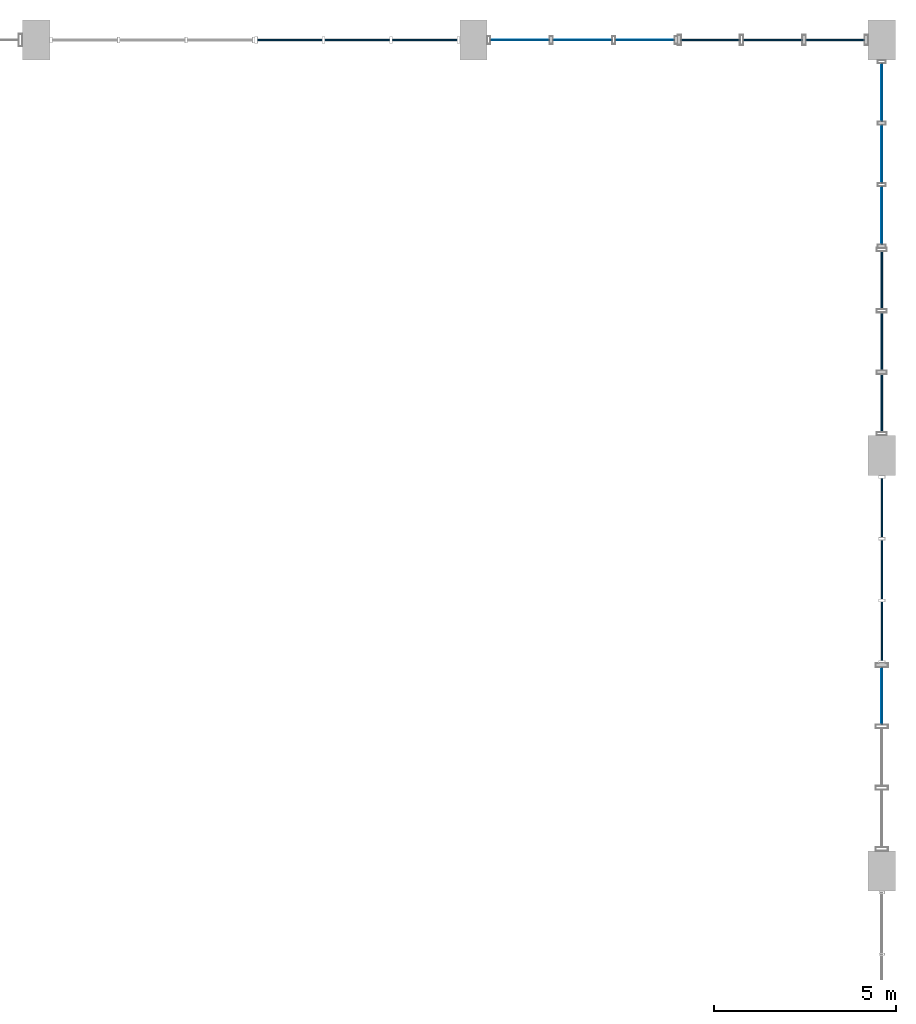
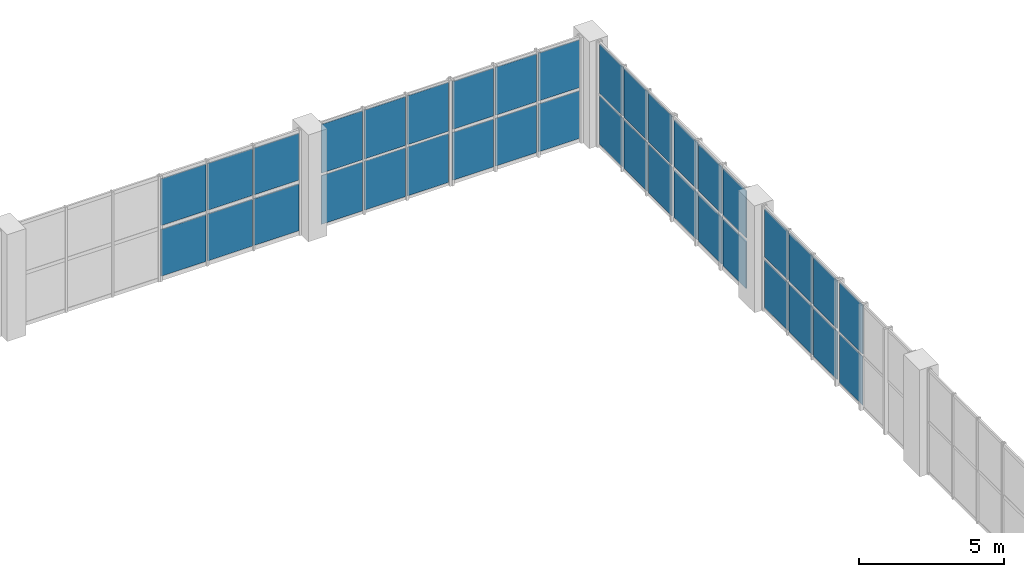
# One storey, part 61 of 80: 38 plates, 7 elements without a shape of their own.
"""IFC4 building model written with IfcOpenShell, lengths in metres."""

from ifc_helpers import new_model, si_unit, direction, frame, origin, origin_2d, place, context, subcontext, project, spatial, rectangle, extrude, material, layer, layer_set, type_object, element, aggregate, save


model = new_model("IFC4")

# Units and contexts
model_context = context("Model", 3, precision=1e-05, world=origin(), true_north=direction((0.0, 1.0)))
body_context = subcontext(model_context, "Body", "Model", "MODEL_VIEW")
ifc_project = project(units=[si_unit("LENGTHUNIT", "METRE"), si_unit("AREAUNIT", "SQUARE_METRE"), si_unit("VOLUMEUNIT", "CUBIC_METRE"), si_unit("PLANEANGLEUNIT", "RADIAN"), si_unit("MASSUNIT", "GRAM", prefix="KILO"), si_unit("POWERUNIT", "WATT"), si_unit("THERMODYNAMICTEMPERATUREUNIT", "KELVIN")], contexts=[model_context])

# Site, building, storey
site_placement = place(None, origin())
site = spatial("IfcSite", under=ifc_project, at=site_placement, CompositionType="ELEMENT")
building_placement = place(site_placement, origin())
building = spatial("IfcBuilding", under=site, at=building_placement, Name="Kelmbourne Parkland Aquatics Centre", CompositionType="ELEMENT")
storey_placement = place(building_placement, frame((0.0, 0.0, 10.199951171875)))
storey = spatial("IfcBuildingStorey", under=building, at=storey_placement, Name="L02", CompositionType="ELEMENT", Elevation=10.199951171875)

# Curtain wall, plate
ifc_material_1 = material(Name="Thermally broken anodised aluminium framing", Category="aluminium")
ifc_layer_1 = layer(ifc_material_1, 0.179931640625)
ifc_layer_set_1 = layer_set([ifc_layer_1], Name="Thermally broken anodised aluminium framing")
curtain_wall_type_1 = type_object("IfcCurtainWallType", Name="CW-12", PredefinedType="NOTDEFINED", material=ifc_layer_set_1)
curtain_wall_1_placement = place(storey_placement, origin())
curtain_wall_1 = element("IfcCurtainWall", 1, at=curtain_wall_1_placement, inside=storey, type_object=curtain_wall_type_1, Name="Wave-hall clerestory curtain wall CW-L02-084", PredefinedType="NOTDEFINED")
ifc_material_2 = material(Name="Double-glazed low-e laminated safety glass", Category="glass")
ifc_layer_2 = layer(ifc_material_2, 0.0419921875)
ifc_layer_set_2 = layer_set([ifc_layer_2], Name="Double-glazed low-e laminated safety glass")
plate_type_1 = type_object("IfcPlateType", Name="PL-CLR-1", PredefinedType="USERDEFINED", material=ifc_layer_set_2)
plate_1_placement = place(storey_placement, frame((175.199951171875, 96.806884765625, 2.279296875), z_axis=(0.0, 0.0, 1.0), x_axis=(0.0, 1.0, 0.0)))
plate_1 = element("IfcPlate", 2, at=plate_1_placement, type_object=plate_type_1, Name="CW-L02-084 clerestory glazing 1-2", ObjectType="CLERESTORY GLAZING", PredefinedType="USERDEFINED", context=body_context, shape_type="SweptSolid", body=[
    extrude(rectangle(XDim=1.587890625, YDim=0.0419921875, at=origin_2d()), origin(), (0.0, 0.0, 1.0), 2.053955078125),
])

# Curtain wall, plates
ifc_layer_3 = layer(ifc_material_1, 0.179931640625)
ifc_layer_set_3 = layer_set([ifc_layer_3], Name="Thermally broken anodised aluminium framing")
curtain_wall_type_2 = type_object("IfcCurtainWallType", Name="CW-19", PredefinedType="NOTDEFINED", material=ifc_layer_set_3)
curtain_wall_2_placement = place(storey_placement, origin())
curtain_wall_2 = element("IfcCurtainWall", 3, at=curtain_wall_2_placement, inside=storey, type_object=curtain_wall_type_2, Name="Wave-hall clerestory curtain wall CW-L02-091", PredefinedType="NOTDEFINED")
plate_2_placement = place(storey_placement, frame((175.199951171875, 98.5830078125, 2.2939453125), z_axis=(0.0, 0.0, 1.0), x_axis=(0.0, 1.0, 0.0)))
plate_2 = element("IfcPlate", 4, at=plate_2_placement, type_object=plate_type_1, Name="CW-L02-091 clerestory glazing 1-0", ObjectType="CLERESTORY GLAZING", PredefinedType="USERDEFINED", context=body_context, shape_type="SweptSolid", body=[
    extrude(rectangle(XDim=1.6279296875, YDim=0.0419921875, at=origin_2d()), origin(), (0.0, 0.0, 1.0), 2.009033203125),
])
plate_3_placement = place(storey_placement, frame((175.199951171875, 100.27392578125, 2.2939453125), z_axis=(0.0, 0.0, 1.0), x_axis=(0.0, 1.0, 0.0)))
plate_3 = element("IfcPlate", 5, at=plate_3_placement, type_object=plate_type_1, Name="CW-L02-091 clerestory glazing 1-1", ObjectType="CLERESTORY GLAZING", PredefinedType="USERDEFINED", context=body_context, shape_type="SweptSolid", body=[
    extrude(rectangle(XDim=1.6279296875, YDim=0.0419921875, at=origin_2d()), origin(), (0.0, 0.0, 1.0), 2.009033203125),
])
plate_4_placement = place(storey_placement, frame((175.199951171875, 101.965087890625, 2.2939453125), z_axis=(0.0, 0.0, 1.0), x_axis=(0.0, 1.0, 0.0)))
plate_4 = element("IfcPlate", 6, at=plate_4_placement, type_object=plate_type_1, Name="CW-L02-091 clerestory glazing 1-2", ObjectType="CLERESTORY GLAZING", PredefinedType="USERDEFINED", context=body_context, shape_type="SweptSolid", body=[
    extrude(rectangle(XDim=1.6279296875, YDim=0.0419921875, at=origin_2d()), origin(), (0.0, 0.0, 1.0), 2.009033203125),
])

ifc_layer_4 = layer(ifc_material_1, 0.179931640625)
ifc_layer_set_4 = layer_set([ifc_layer_4], Name="Thermally broken anodised aluminium framing")
curtain_wall_type_3 = type_object("IfcCurtainWallType", Name="CW-02", PredefinedType="NOTDEFINED", material=ifc_layer_set_4)
curtain_wall_3_placement = place(storey_placement, origin())
curtain_wall_3 = element("IfcCurtainWall", 7, at=curtain_wall_3_placement, inside=storey, type_object=curtain_wall_type_3, Name="Wave-hall clerestory curtain wall CW-L02-098", PredefinedType="NOTDEFINED")
plate_5_placement = place(storey_placement, frame((175.199951171875, 104.841796875, 2.30908203125), z_axis=(0.0, 0.0, 1.0), x_axis=(0.0, 1.0, 0.0)))
plate_5 = element("IfcPlate", 8, at=plate_5_placement, type_object=plate_type_1, Name="CW-L02-098 clerestory glazing 1-0", ObjectType="CLERESTORY GLAZING", PredefinedType="USERDEFINED", context=body_context, shape_type="SweptSolid", body=[
    extrude(rectangle(XDim=1.601318359375, YDim=0.0419921875, at=origin_2d()), origin(), (0.0, 0.0, 1.0), 1.964111328125),
])
plate_6_placement = place(storey_placement, frame((175.199951171875, 106.52587890625, 2.30908203125), z_axis=(0.0, 0.0, 1.0), x_axis=(0.0, 1.0, 0.0)))
plate_6 = element("IfcPlate", 9, at=plate_6_placement, type_object=plate_type_1, Name="CW-L02-098 clerestory glazing 1-1", ObjectType="CLERESTORY GLAZING", PredefinedType="USERDEFINED", context=body_context, shape_type="SweptSolid", body=[
    extrude(rectangle(XDim=1.601318359375, YDim=0.0419921875, at=origin_2d()), origin(), (0.0, 0.0, 1.0), 1.964111328125),
])
plate_7_placement = place(storey_placement, frame((175.199951171875, 108.21044921875, 2.30908203125), z_axis=(0.0, 0.0, 1.0), x_axis=(0.0, 1.0, 0.0)))
plate_7 = element("IfcPlate", 10, at=plate_7_placement, type_object=plate_type_1, Name="CW-L02-098 clerestory glazing 1-2", ObjectType="CLERESTORY GLAZING", PredefinedType="USERDEFINED", context=body_context, shape_type="SweptSolid", body=[
    extrude(rectangle(XDim=1.601318359375, YDim=0.0419921875, at=origin_2d()), origin(), (0.0, 0.0, 1.0), 1.964111328125),
])

ifc_layer_5 = layer(ifc_material_1, 0.179931640625)
ifc_layer_set_5 = layer_set([ifc_layer_5], Name="Thermally broken anodised aluminium framing")
curtain_wall_type_4 = type_object("IfcCurtainWallType", Name="CW-06", PredefinedType="NOTDEFINED", material=ifc_layer_set_5)
curtain_wall_4_placement = place(storey_placement, origin())
curtain_wall_4 = element("IfcCurtainWall", 11, at=curtain_wall_4_placement, inside=storey, type_object=curtain_wall_type_4, Name="Wave-hall clerestory curtain wall CW-L02-102", PredefinedType="NOTDEFINED")
plate_8_placement = place(storey_placement, frame((175.199951171875, 109.986328125, 2.279296875), z_axis=(0.0, 0.0, 1.0), x_axis=(0.0, 1.0, 0.0)))
plate_8 = element("IfcPlate", 12, at=plate_8_placement, type_object=plate_type_1, Name="CW-L02-102 clerestory glazing 1-0", ObjectType="CLERESTORY GLAZING", PredefinedType="USERDEFINED", context=body_context, shape_type="SweptSolid", body=[
    extrude(rectangle(XDim=1.61474609375, YDim=0.0419921875, at=origin_2d()), origin(), (0.0, 0.0, 1.0), 2.053955078125),
])
plate_9_placement = place(storey_placement, frame((175.199951171875, 111.674072265625, 2.279296875), z_axis=(0.0, 0.0, 1.0), x_axis=(0.0, 1.0, 0.0)))
plate_9 = element("IfcPlate", 13, at=plate_9_placement, type_object=plate_type_1, Name="CW-L02-102 clerestory glazing 1-1", ObjectType="CLERESTORY GLAZING", PredefinedType="USERDEFINED", context=body_context, shape_type="SweptSolid", body=[
    extrude(rectangle(XDim=1.614501953125, YDim=0.0419921875, at=origin_2d()), origin(), (0.0, 0.0, 1.0), 2.053955078125),
])
plate_10_placement = place(storey_placement, frame((175.199951171875, 113.361572265625, 2.279296875), z_axis=(0.0, 0.0, 1.0), x_axis=(0.0, 1.0, 0.0)))
plate_10 = element("IfcPlate", 14, at=plate_10_placement, type_object=plate_type_1, Name="CW-L02-102 clerestory glazing 1-2", ObjectType="CLERESTORY GLAZING", PredefinedType="USERDEFINED", context=body_context, shape_type="SweptSolid", body=[
    extrude(rectangle(XDim=1.61474609375, YDim=0.0419921875, at=origin_2d()), origin(), (0.0, 0.0, 1.0), 2.053955078125),
])

curtain_wall_5_placement = place(storey_placement, origin())
curtain_wall_5 = element("IfcCurtainWall", 15, at=curtain_wall_5_placement, inside=storey, type_object=curtain_wall_type_3, Name="Wave-hall clerestory curtain wall CW-L02-146", PredefinedType="NOTDEFINED")
plate_11_placement = place(storey_placement, frame((158.962158203125, 114.800048828125, 2.30908203125), z_axis=(0.0, 0.0, 1.0), x_axis=(1.0, 0.0, 0.0)))
plate_11 = element("IfcPlate", 16, at=plate_11_placement, type_object=plate_type_1, Name="CW-L02-146 clerestory glazing 1-0", ObjectType="CLERESTORY GLAZING", PredefinedType="USERDEFINED", context=body_context, shape_type="SweptSolid", body=[
    extrude(rectangle(XDim=1.786376953125, YDim=0.0419921875, at=origin_2d()), origin(), (0.0, 0.0, 1.0), 1.964111328125),
])
plate_12_placement = place(storey_placement, frame((160.8115234375, 114.800048828125, 2.30908203125), z_axis=(0.0, 0.0, 1.0), x_axis=(1.0, 0.0, 0.0)))
plate_12 = element("IfcPlate", 17, at=plate_12_placement, type_object=plate_type_1, Name="CW-L02-146 clerestory glazing 1-1", ObjectType="CLERESTORY GLAZING", PredefinedType="USERDEFINED", context=body_context, shape_type="SweptSolid", body=[
    extrude(rectangle(XDim=1.786376953125, YDim=0.0419921875, at=origin_2d()), origin(), (0.0, 0.0, 1.0), 1.964111328125),
])
plate_13_placement = place(storey_placement, frame((162.660888671875, 114.800048828125, 2.30908203125), z_axis=(0.0, 0.0, 1.0), x_axis=(1.0, 0.0, 0.0)))
plate_13 = element("IfcPlate", 18, at=plate_13_placement, type_object=plate_type_1, Name="CW-L02-146 clerestory glazing 1-2", ObjectType="CLERESTORY GLAZING", PredefinedType="USERDEFINED", context=body_context, shape_type="SweptSolid", body=[
    extrude(rectangle(XDim=1.786376953125, YDim=0.0419921875, at=origin_2d()), origin(), (0.0, 0.0, 1.0), 1.964111328125),
])

ifc_layer_6 = layer(ifc_material_1, 0.179931640625)
ifc_layer_set_6 = layer_set([ifc_layer_6], Name="Thermally broken anodised aluminium framing")
curtain_wall_type_5 = type_object("IfcCurtainWallType", Name="CW-03", PredefinedType="NOTDEFINED", material=ifc_layer_set_6)
curtain_wall_6_placement = place(storey_placement, origin())
curtain_wall_6 = element("IfcCurtainWall", 19, at=curtain_wall_6_placement, inside=storey, type_object=curtain_wall_type_5, Name="Wave-hall clerestory curtain wall CW-L02-147", PredefinedType="NOTDEFINED")
plate_14_placement = place(storey_placement, frame((165.27587890625, 114.800048828125, 2.279296875), z_axis=(0.0, 0.0, 1.0), x_axis=(1.0, 0.0, 0.0)))
plate_14 = element("IfcPlate", 20, at=plate_14_placement, type_object=plate_type_1, Name="CW-L02-147 clerestory glazing 1-0", ObjectType="CLERESTORY GLAZING", PredefinedType="USERDEFINED", context=body_context, shape_type="SweptSolid", body=[
    extrude(rectangle(XDim=1.6396484375, YDim=0.0419921875, at=origin_2d()), origin(), (0.0, 0.0, 1.0), 2.053955078125),
])
plate_15_placement = place(storey_placement, frame((166.988525390625, 114.800048828125, 2.279296875), z_axis=(0.0, 0.0, 1.0), x_axis=(1.0, 0.0, 0.0)))
plate_15 = element("IfcPlate", 21, at=plate_15_placement, type_object=plate_type_1, Name="CW-L02-147 clerestory glazing 1-1", ObjectType="CLERESTORY GLAZING", PredefinedType="USERDEFINED", context=body_context, shape_type="SweptSolid", body=[
    extrude(rectangle(XDim=1.6396484375, YDim=0.0419921875, at=origin_2d()), origin(), (0.0, 0.0, 1.0), 2.053955078125),
])
plate_16_placement = place(storey_placement, frame((168.701171875, 114.800048828125, 2.279296875), z_axis=(0.0, 0.0, 1.0), x_axis=(1.0, 0.0, 0.0)))
plate_16 = element("IfcPlate", 22, at=plate_16_placement, type_object=plate_type_1, Name="CW-L02-147 clerestory glazing 1-2", ObjectType="CLERESTORY GLAZING", PredefinedType="USERDEFINED", context=body_context, shape_type="SweptSolid", body=[
    extrude(rectangle(XDim=1.6396484375, YDim=0.0419921875, at=origin_2d()), origin(), (0.0, 0.0, 1.0), 2.053955078125),
])

ifc_layer_7 = layer(ifc_material_1, 0.179931640625)
ifc_layer_set_7 = layer_set([ifc_layer_7], Name="Thermally broken anodised aluminium framing")
curtain_wall_type_6 = type_object("IfcCurtainWallType", Name="CW-04", PredefinedType="NOTDEFINED", material=ifc_layer_set_7)
curtain_wall_7_placement = place(storey_placement, origin())
curtain_wall_7 = element("IfcCurtainWall", 23, at=curtain_wall_7_placement, inside=storey, type_object=curtain_wall_type_6, Name="Wave-hall clerestory curtain wall CW-L02-148", PredefinedType="NOTDEFINED")
plate_17_placement = place(storey_placement, frame((170.502197265625, 114.800048828125, 2.2939453125), z_axis=(0.0, 0.0, 1.0), x_axis=(1.0, 0.0, 0.0)))
plate_17 = element("IfcPlate", 24, at=plate_17_placement, type_object=plate_type_1, Name="CW-L02-148 clerestory glazing 1-0", ObjectType="CLERESTORY GLAZING", PredefinedType="USERDEFINED", context=body_context, shape_type="SweptSolid", body=[
    extrude(rectangle(XDim=1.626220703125, YDim=0.0419921875, at=origin_2d()), origin(), (0.0, 0.0, 1.0), 2.009033203125),
])
plate_18_placement = place(storey_placement, frame((172.21142578125, 114.800048828125, 2.2939453125), z_axis=(0.0, 0.0, 1.0), x_axis=(1.0, 0.0, 0.0)))
plate_18 = element("IfcPlate", 25, at=plate_18_placement, type_object=plate_type_1, Name="CW-L02-148 clerestory glazing 1-1", ObjectType="CLERESTORY GLAZING", PredefinedType="USERDEFINED", context=body_context, shape_type="SweptSolid", body=[
    extrude(rectangle(XDim=1.62646484375, YDim=0.0419921875, at=origin_2d()), origin(), (0.0, 0.0, 1.0), 2.009033203125),
])
plate_19_placement = place(storey_placement, frame((173.9208984375, 114.800048828125, 2.2939453125), z_axis=(0.0, 0.0, 1.0), x_axis=(1.0, 0.0, 0.0)))
plate_19 = element("IfcPlate", 26, at=plate_19_placement, type_object=plate_type_1, Name="CW-L02-148 clerestory glazing 1-2", ObjectType="CLERESTORY GLAZING", PredefinedType="USERDEFINED", context=body_context, shape_type="SweptSolid", body=[
    extrude(rectangle(XDim=1.626220703125, YDim=0.0419921875, at=origin_2d()), origin(), (0.0, 0.0, 1.0), 2.009033203125),
])

# Plate
ifc_layer_8 = layer(ifc_material_2, 0.02392578125)
ifc_layer_set_8 = layer_set([ifc_layer_8], Name="Double-glazed low-e laminated safety glass")
plate_type_2 = type_object("IfcPlateType", Name="PL-CWP-1", PredefinedType="CURTAIN_PANEL", material=ifc_layer_set_8)
plate_20_placement = place(storey_placement, frame((175.199951171875, 96.806884765625, 0.1171875), z_axis=(0.0, 0.0, 1.0), x_axis=(0.0, 1.0, 0.0)))
plate_20 = element("IfcPlate", 27, at=plate_20_placement, type_object=plate_type_2, Name="CW-L02-084 vision glazing 0-2", PredefinedType="CURTAIN_PANEL", context=body_context, shape_type="SweptSolid", body=[
    extrude(rectangle(XDim=1.587890625, YDim=0.02392578125, at=origin_2d()), origin(), (0.0, 0.0, 1.0), 2.053955078125),
])

aggregate(curtain_wall_1, [plate_20, plate_1])

plate_21_placement = place(storey_placement, frame((175.199951171875, 109.986328125, 0.1171875), z_axis=(0.0, 0.0, 1.0), x_axis=(0.0, 1.0, 0.0)))
plate_21 = element("IfcPlate", 28, at=plate_21_placement, type_object=plate_type_2, Name="CW-L02-102 vision glazing 0-0", PredefinedType="CURTAIN_PANEL", context=body_context, shape_type="SweptSolid", body=[
    extrude(rectangle(XDim=1.61474609375, YDim=0.02392578125, at=origin_2d()), origin(), (0.0, 0.0, 1.0), 2.053955078125),
])

plate_22_placement = place(storey_placement, frame((175.199951171875, 111.674072265625, 0.1171875), z_axis=(0.0, 0.0, 1.0), x_axis=(0.0, 1.0, 0.0)))
plate_22 = element("IfcPlate", 29, at=plate_22_placement, type_object=plate_type_2, Name="CW-L02-102 vision glazing 0-1", PredefinedType="CURTAIN_PANEL", context=body_context, shape_type="SweptSolid", body=[
    extrude(rectangle(XDim=1.614501953125, YDim=0.02392578125, at=origin_2d()), origin(), (0.0, 0.0, 1.0), 2.053955078125),
])

plate_23_placement = place(storey_placement, frame((175.199951171875, 113.361572265625, 0.1171875), z_axis=(0.0, 0.0, 1.0), x_axis=(0.0, 1.0, 0.0)))
plate_23 = element("IfcPlate", 30, at=plate_23_placement, type_object=plate_type_2, Name="CW-L02-102 vision glazing 0-2", PredefinedType="CURTAIN_PANEL", context=body_context, shape_type="SweptSolid", body=[
    extrude(rectangle(XDim=1.61474609375, YDim=0.02392578125, at=origin_2d()), origin(), (0.0, 0.0, 1.0), 2.053955078125),
])

aggregate(curtain_wall_4, [plate_21, plate_22, plate_23, plate_8, plate_9, plate_10])

plate_24_placement = place(storey_placement, frame((165.27587890625, 114.800048828125, 0.1171875), z_axis=(0.0, 0.0, 1.0), x_axis=(1.0, 0.0, 0.0)))
plate_24 = element("IfcPlate", 31, at=plate_24_placement, type_object=plate_type_2, Name="CW-L02-147 vision glazing 0-0", PredefinedType="CURTAIN_PANEL", context=body_context, shape_type="SweptSolid", body=[
    extrude(rectangle(XDim=1.6396484375, YDim=0.02392578125, at=origin_2d()), origin(), (0.0, 0.0, 1.0), 2.053955078125),
])

plate_25_placement = place(storey_placement, frame((166.988525390625, 114.800048828125, 0.1171875), z_axis=(0.0, 0.0, 1.0), x_axis=(1.0, 0.0, 0.0)))
plate_25 = element("IfcPlate", 32, at=plate_25_placement, type_object=plate_type_2, Name="CW-L02-147 vision glazing 0-1", PredefinedType="CURTAIN_PANEL", context=body_context, shape_type="SweptSolid", body=[
    extrude(rectangle(XDim=1.6396484375, YDim=0.02392578125, at=origin_2d()), origin(), (0.0, 0.0, 1.0), 2.053955078125),
])

plate_26_placement = place(storey_placement, frame((168.701171875, 114.800048828125, 0.1171875), z_axis=(0.0, 0.0, 1.0), x_axis=(1.0, 0.0, 0.0)))
plate_26 = element("IfcPlate", 33, at=plate_26_placement, type_object=plate_type_2, Name="CW-L02-147 vision glazing 0-2", PredefinedType="CURTAIN_PANEL", context=body_context, shape_type="SweptSolid", body=[
    extrude(rectangle(XDim=1.6396484375, YDim=0.02392578125, at=origin_2d()), origin(), (0.0, 0.0, 1.0), 2.053955078125),
])

aggregate(curtain_wall_6, [plate_24, plate_25, plate_26, plate_14, plate_15, plate_16])

ifc_layer_9 = layer(ifc_material_2, 0.035888671875)
ifc_layer_set_9 = layer_set([ifc_layer_9], Name="Double-glazed low-e laminated safety glass")
plate_type_3 = type_object("IfcPlateType", Name="PL-CWP-2", PredefinedType="CURTAIN_PANEL", material=ifc_layer_set_9)
plate_27_placement = place(storey_placement, frame((175.199951171875, 98.5830078125, 0.14697265625), z_axis=(0.0, 0.0, 1.0), x_axis=(0.0, 1.0, 0.0)))
plate_27 = element("IfcPlate", 34, at=plate_27_placement, type_object=plate_type_3, Name="CW-L02-091 vision glazing 0-0", PredefinedType="CURTAIN_PANEL", context=body_context, shape_type="SweptSolid", body=[
    extrude(rectangle(XDim=1.6279296875, YDim=0.035888671875, at=origin_2d()), origin(), (0.0, 0.0, 1.0), 2.009033203125),
])

plate_28_placement = place(storey_placement, frame((175.199951171875, 100.27392578125, 0.14697265625), z_axis=(0.0, 0.0, 1.0), x_axis=(0.0, 1.0, 0.0)))
plate_28 = element("IfcPlate", 35, at=plate_28_placement, type_object=plate_type_3, Name="CW-L02-091 vision glazing 0-1", PredefinedType="CURTAIN_PANEL", context=body_context, shape_type="SweptSolid", body=[
    extrude(rectangle(XDim=1.6279296875, YDim=0.035888671875, at=origin_2d()), origin(), (0.0, 0.0, 1.0), 2.009033203125),
])

plate_29_placement = place(storey_placement, frame((175.199951171875, 101.965087890625, 0.14697265625), z_axis=(0.0, 0.0, 1.0), x_axis=(0.0, 1.0, 0.0)))
plate_29 = element("IfcPlate", 36, at=plate_29_placement, type_object=plate_type_3, Name="CW-L02-091 vision glazing 0-2", PredefinedType="CURTAIN_PANEL", context=body_context, shape_type="SweptSolid", body=[
    extrude(rectangle(XDim=1.6279296875, YDim=0.035888671875, at=origin_2d()), origin(), (0.0, 0.0, 1.0), 2.009033203125),
])

aggregate(curtain_wall_2, [plate_27, plate_28, plate_29, plate_2, plate_3, plate_4])

plate_30_placement = place(storey_placement, frame((170.502197265625, 114.800048828125, 0.14697265625), z_axis=(0.0, 0.0, 1.0), x_axis=(1.0, 0.0, 0.0)))
plate_30 = element("IfcPlate", 37, at=plate_30_placement, type_object=plate_type_3, Name="CW-L02-148 vision glazing 0-0", PredefinedType="CURTAIN_PANEL", context=body_context, shape_type="SweptSolid", body=[
    extrude(rectangle(XDim=1.626220703125, YDim=0.035888671875, at=origin_2d()), origin(), (0.0, 0.0, 1.0), 2.009033203125),
])

plate_31_placement = place(storey_placement, frame((172.21142578125, 114.800048828125, 0.14697265625), z_axis=(0.0, 0.0, 1.0), x_axis=(1.0, 0.0, 0.0)))
plate_31 = element("IfcPlate", 38, at=plate_31_placement, type_object=plate_type_3, Name="CW-L02-148 vision glazing 0-1", PredefinedType="CURTAIN_PANEL", context=body_context, shape_type="SweptSolid", body=[
    extrude(rectangle(XDim=1.62646484375, YDim=0.035888671875, at=origin_2d()), origin(), (0.0, 0.0, 1.0), 2.009033203125),
])

plate_32_placement = place(storey_placement, frame((173.9208984375, 114.800048828125, 0.14697265625), z_axis=(0.0, 0.0, 1.0), x_axis=(1.0, 0.0, 0.0)))
plate_32 = element("IfcPlate", 39, at=plate_32_placement, type_object=plate_type_3, Name="CW-L02-148 vision glazing 0-2", PredefinedType="CURTAIN_PANEL", context=body_context, shape_type="SweptSolid", body=[
    extrude(rectangle(XDim=1.626220703125, YDim=0.035888671875, at=origin_2d()), origin(), (0.0, 0.0, 1.0), 2.009033203125),
])

aggregate(curtain_wall_7, [plate_30, plate_31, plate_32, plate_17, plate_18, plate_19])

ifc_layer_10 = layer(ifc_material_2, 0.048095703125)
ifc_layer_set_10 = layer_set([ifc_layer_10], Name="Double-glazed low-e laminated safety glass")
plate_type_4 = type_object("IfcPlateType", Name="PL-CWP-3", PredefinedType="CURTAIN_PANEL", material=ifc_layer_set_10)
plate_33_placement = place(storey_placement, frame((175.199951171875, 104.841796875, 0.1767578125), z_axis=(0.0, 0.0, 1.0), x_axis=(0.0, 1.0, 0.0)))
plate_33 = element("IfcPlate", 40, at=plate_33_placement, type_object=plate_type_4, Name="CW-L02-098 vision glazing 0-0", PredefinedType="CURTAIN_PANEL", context=body_context, shape_type="SweptSolid", body=[
    extrude(rectangle(XDim=1.601318359375, YDim=0.048095703125, at=origin_2d()), origin(), (0.0, 0.0, 1.0), 1.964111328125),
])

plate_34_placement = place(storey_placement, frame((175.199951171875, 106.52587890625, 0.1767578125), z_axis=(0.0, 0.0, 1.0), x_axis=(0.0, 1.0, 0.0)))
plate_34 = element("IfcPlate", 41, at=plate_34_placement, type_object=plate_type_4, Name="CW-L02-098 vision glazing 0-1", PredefinedType="CURTAIN_PANEL", context=body_context, shape_type="SweptSolid", body=[
    extrude(rectangle(XDim=1.601318359375, YDim=0.048095703125, at=origin_2d()), origin(), (0.0, 0.0, 1.0), 1.964111328125),
])

plate_35_placement = place(storey_placement, frame((175.199951171875, 108.21044921875, 0.1767578125), z_axis=(0.0, 0.0, 1.0), x_axis=(0.0, 1.0, 0.0)))
plate_35 = element("IfcPlate", 42, at=plate_35_placement, type_object=plate_type_4, Name="CW-L02-098 vision glazing 0-2", PredefinedType="CURTAIN_PANEL", context=body_context, shape_type="SweptSolid", body=[
    extrude(rectangle(XDim=1.601318359375, YDim=0.048095703125, at=origin_2d()), origin(), (0.0, 0.0, 1.0), 1.964111328125),
])

aggregate(curtain_wall_3, [plate_33, plate_34, plate_35, plate_5, plate_6, plate_7])

plate_36_placement = place(storey_placement, frame((158.962158203125, 114.800048828125, 0.1767578125), z_axis=(0.0, 0.0, 1.0), x_axis=(1.0, 0.0, 0.0)))
plate_36 = element("IfcPlate", 43, at=plate_36_placement, type_object=plate_type_4, Name="CW-L02-146 vision glazing 0-0", PredefinedType="CURTAIN_PANEL", context=body_context, shape_type="SweptSolid", body=[
    extrude(rectangle(XDim=1.786376953125, YDim=0.048095703125, at=origin_2d()), origin(), (0.0, 0.0, 1.0), 1.964111328125),
])

plate_37_placement = place(storey_placement, frame((160.8115234375, 114.800048828125, 0.1767578125), z_axis=(0.0, 0.0, 1.0), x_axis=(1.0, 0.0, 0.0)))
plate_37 = element("IfcPlate", 44, at=plate_37_placement, type_object=plate_type_4, Name="CW-L02-146 vision glazing 0-1", PredefinedType="CURTAIN_PANEL", context=body_context, shape_type="SweptSolid", body=[
    extrude(rectangle(XDim=1.786376953125, YDim=0.048095703125, at=origin_2d()), origin(), (0.0, 0.0, 1.0), 1.964111328125),
])

plate_38_placement = place(storey_placement, frame((162.660888671875, 114.800048828125, 0.1767578125), z_axis=(0.0, 0.0, 1.0), x_axis=(1.0, 0.0, 0.0)))
plate_38 = element("IfcPlate", 45, at=plate_38_placement, type_object=plate_type_4, Name="CW-L02-146 vision glazing 0-2", PredefinedType="CURTAIN_PANEL", context=body_context, shape_type="SweptSolid", body=[
    extrude(rectangle(XDim=1.786376953125, YDim=0.048095703125, at=origin_2d()), origin(), (0.0, 0.0, 1.0), 1.964111328125),
])

aggregate(curtain_wall_5, [plate_36, plate_37, plate_38, plate_11, plate_12, plate_13])

save(model, "model.ifc")
